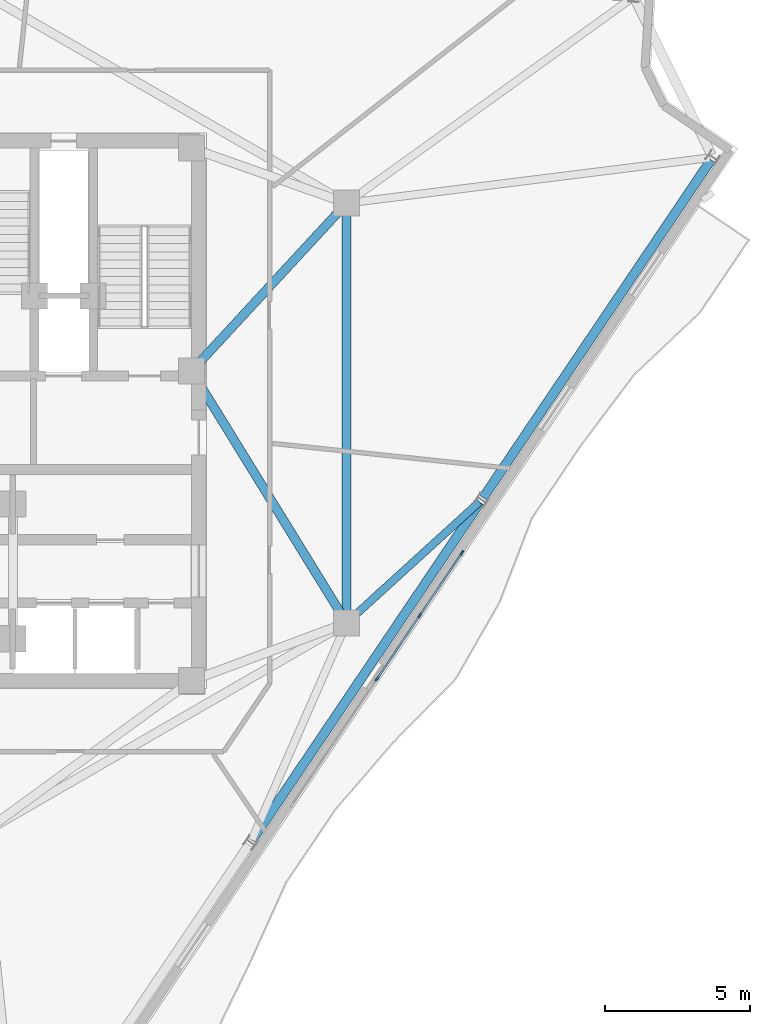
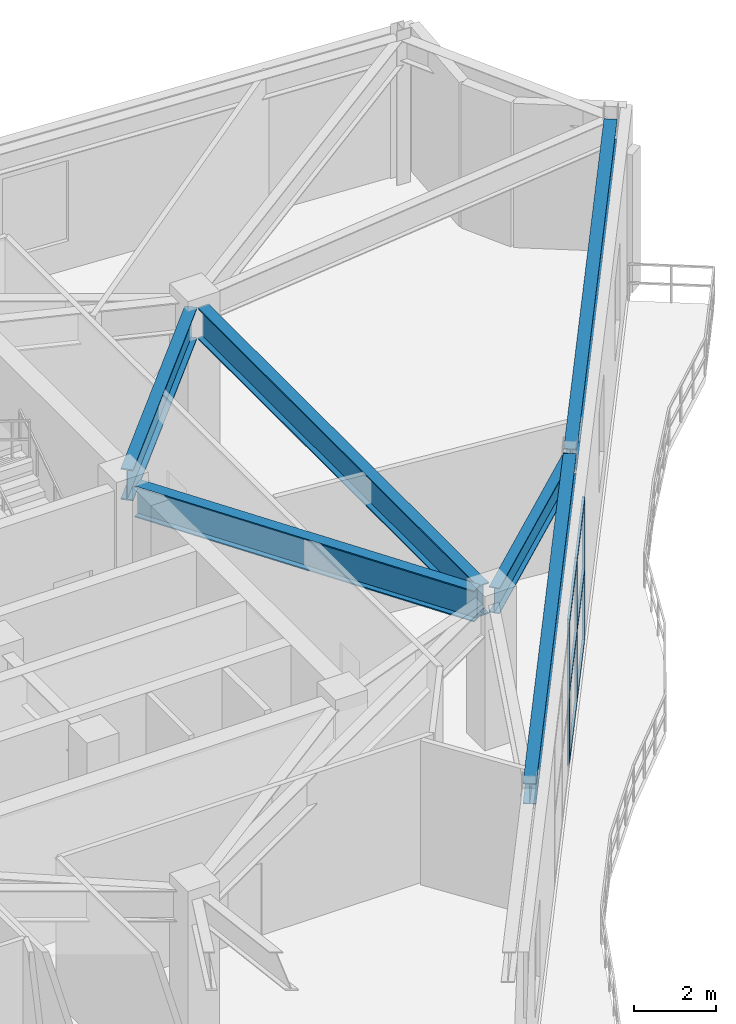
# One storey, part 6 of 15: 9 members, 6 beams, 1 element without a shape of its own.
"""IFC4 building model written with IfcOpenShell, lengths in metres."""

from ifc_helpers import new_model, si_unit, direction, frame, origin, origin_2d, place, context, subcontext, project, spatial, rectangle, i_section, extrude, material, layer, layer_set, material_profile, profile_set, type_object, element, aggregate, save


model = new_model("IFC4")

# Units and contexts
model_context = context("Model", 3, precision=1e-05, world=origin(), true_north=direction((0.0, 1.0)))
body_context = subcontext(model_context, "Body", "Model", "MODEL_VIEW")
ifc_project = project(units=[si_unit("LENGTHUNIT", "METRE"), si_unit("AREAUNIT", "SQUARE_METRE"), si_unit("VOLUMEUNIT", "CUBIC_METRE"), si_unit("PLANEANGLEUNIT", "RADIAN"), si_unit("MASSUNIT", "GRAM", prefix="KILO")], contexts=[model_context])

# Site, building, storey
site_placement = place(None, origin())
site = spatial("IfcSite", under=ifc_project, at=site_placement, CompositionType="ELEMENT")
building_placement = place(site_placement, origin())
building = spatial("IfcBuilding", under=site, at=building_placement, Name="Apsidion Concourse Tower", CompositionType="ELEMENT")
storey_placement = place(building_placement, frame((0.0, 0.0, 323.39990234375)))
storey = spatial("IfcBuildingStorey", under=building, at=storey_placement, Name="L76", CompositionType="ELEMENT", Elevation=323.39990234375)

# Beams
ifc_material_1 = material(Name="Structural steel ASTM A992 Grade 50", Category="steel")
ifc_material_profile_1 = material_profile(ifc_material_1, i_section(OverallWidth=0.31005859375, OverallDepth=0.931884765625, WebThickness=0.02099609375, FlangeThickness=0.034423828125, at=origin_2d()), Name="W36X210")
ifc_profile_set_1 = profile_set([ifc_material_profile_1], Name="Structural steel ASTM A992 Grade 50")
beam_type_1 = type_object("IfcBeamType", Name="BM-G-W36", PredefinedType="USERDEFINED", material=ifc_profile_set_1)
beam_1_placement = place(storey_placement, frame((12.35009765625, -6.909423828125, 3.833984375), z_axis=(-0.524524009763, 0.851395656074, 0.0), x_axis=(-0.851395656074, -0.524524009763, 0.0)))
element("IfcBeam", 1, at=beam_1_placement, inside=storey, type_object=beam_type_1, Name="L76 Core Coupling Girder IC2-SC3", ObjectType="GIRDER", PredefinedType="USERDEFINED", context=body_context, shape_type="SweptSolid", body=[
    extrude(i_section(OverallWidth=0.31005859375, OverallDepth=0.931884765625, WebThickness=0.02099609375, FlangeThickness=0.034423828125, at=origin_2d()), origin(), (0.0, 0.0, 1.0), 9.41845703125),
])
beam_2_placement = place(storey_placement, frame((12.28857421875, 6.956298828125, 3.833984375), z_axis=(-0.678712876106, -0.73440372535, 0.0), x_axis=(0.73440372535, -0.678712876106, 0.0)))
element("IfcBeam", 2, at=beam_2_placement, inside=storey, type_object=beam_type_1, Name="L76 Core Coupling Girder IC3-SC3", ObjectType="GIRDER", PredefinedType="USERDEFINED", context=body_context, shape_type="SweptSolid", body=[
    extrude(i_section(OverallWidth=0.31005859375, OverallDepth=0.931884765625, WebThickness=0.02099609375, FlangeThickness=0.034423828125, at=origin_2d()), origin(), (0.0, 0.0, 1.0), 7.097412109375),
])
beam_3_placement = place(storey_placement, frame((12.56005859375, 6.85009765625, 3.833984375), z_axis=(0.0, -1.0, 0.0), x_axis=(1.0, 0.0, 0.0)))
element("IfcBeam", 3, at=beam_3_placement, inside=storey, type_object=beam_type_1, Name="L76 Core Coupling Girder IC3-IC2", ObjectType="GIRDER", PredefinedType="USERDEFINED", context=body_context, shape_type="SweptSolid", body=[
    extrude(i_section(OverallWidth=0.31005859375, OverallDepth=0.931884765625, WebThickness=0.02099609375, FlangeThickness=0.034423828125, at=origin_2d()), origin(), (0.0, 0.0, 1.0), 13.7001953125),
])
ifc_material_profile_2 = material_profile(ifc_material_1, i_section(OverallWidth=0.324951171875, OverallDepth=0.616943359375, WebThickness=0.013916015625, FlangeThickness=0.021484375, at=origin_2d()), Name="W24X117")
ifc_profile_set_2 = profile_set([ifc_material_profile_2], Name="Structural steel ASTM A992 Grade 50")
beam_type_2 = type_object("IfcBeamType", Name="BM-SP-W24", PredefinedType="SPANDREL", material=ifc_profile_set_2)
beam_4_placement = place(storey_placement, frame((9.294921875, -14.760986328125, 3.99169921875), z_axis=(0.559189897853, 0.829039599862, 0.0), x_axis=(-0.829039599862, 0.559189897853, 0.0)))
element("IfcBeam", 4, at=beam_4_placement, inside=storey, type_object=beam_type_2, Name="L76 Perimeter Spandrel Girder SP-06", PredefinedType="SPANDREL", context=body_context, shape_type="SweptSolid", body=[
    extrude(i_section(OverallWidth=0.324951171875, OverallDepth=0.616943359375, WebThickness=0.013916015625, FlangeThickness=0.021484375, at=origin_2d()), origin(), (0.0, 0.0, 1.0), 14.079345703125),
])
beam_5_placement = place(storey_placement, frame((17.27978515625, -2.9228515625, 3.99169921875), z_axis=(0.559201815781, 0.829031561056, 0.0), x_axis=(-0.829031561056, 0.559201815781, 0.0)))
element("IfcBeam", 5, at=beam_5_placement, inside=storey, type_object=beam_type_2, Name="L76 Perimeter Spandrel Girder SP-07", PredefinedType="SPANDREL", context=body_context, shape_type="SweptSolid", body=[
    extrude(i_section(OverallWidth=0.324951171875, OverallDepth=0.616943359375, WebThickness=0.013916015625, FlangeThickness=0.021484375, at=origin_2d()), origin(), (0.0, 0.0, 1.0), 14.07958984375),
])
ifc_material_profile_3 = material_profile(ifc_material_1, i_section(OverallWidth=0.26806640625, OverallDepth=0.77001953125, WebThickness=0.015625, FlangeThickness=0.025390625, at=origin_2d()), Name="W30X132")
ifc_profile_set_3 = profile_set([ifc_material_profile_3], Name="Structural steel ASTM A992 Grade 50")
beam_type_3 = type_object("IfcBeamType", Name="BM-SP-W30", PredefinedType="SPANDREL", material=ifc_profile_set_3)
beam_6_placement = place(storey_placement, frame((12.72265625, -7.101806640625, 3.9150390625), z_axis=(0.739604100637, 0.673042178709, 0.0), x_axis=(-0.673042178709, 0.739604100637, 0.0)))
element("IfcBeam", 6, at=beam_6_placement, inside=storey, type_object=beam_type_3, Name="L76 Radial Floor Girder RAD-07", PredefinedType="SPANDREL", context=body_context, shape_type="SweptSolid", body=[
    extrude(i_section(OverallWidth=0.26806640625, OverallDepth=0.77001953125, WebThickness=0.015625, FlangeThickness=0.025390625, at=origin_2d()), origin(), (0.0, 0.0, 1.0), 5.986083984375),
])

# Curtain wall, members
ifc_material_2 = material(Name="Insulated laminated low-E glass", Category="glass")
ifc_layer = layer(ifc_material_2, 0.22998046875)
ifc_layer_set = layer_set([ifc_layer], Name="Insulated laminated low-E glass")
curtain_wall_type = type_object("IfcCurtainWallType", Name="CW-SYS-05", PredefinedType="NOTDEFINED", material=ifc_layer_set)
curtain_wall_placement = place(storey_placement, origin())
curtain_wall = element("IfcCurtainWall", 7, at=curtain_wall_placement, inside=storey, type_object=curtain_wall_type, Name="L76 Sky Observatory Curtain Wall 5", PredefinedType="NOTDEFINED")
ifc_material_3 = material(Name="Anodised aluminium EN AW-6063 T6", Category="aluminium")
ifc_material_profile_4 = material_profile(ifc_material_3, rectangle(XDim=0.06494140625, YDim=0.179931640625, at=origin_2d()), Name="ALU MULLION 65x180")
ifc_profile_set_4 = profile_set([ifc_material_profile_4], Name="Anodised aluminium EN AW-6063 T6")
member_type_1 = type_object("IfcMemberType", Name="CWM-65X180", PredefinedType="MULLION", material=ifc_profile_set_4)
member_1_placement = place(storey_placement, frame((16.54150390625, -4.840087890625, 0.0), z_axis=(0.0, 0.0, 1.0), x_axis=(0.829036939888, -0.559193841437, 0.0)))
member_1 = element("IfcMember", 8, at=member_1_placement, type_object=member_type_1, Name="CW-05 mullion 1", PredefinedType="MULLION", context=body_context, shape_type="SweptSolid", body=[
    extrude(rectangle(XDim=0.06494140625, YDim=0.179931640625, at=origin_2d()), origin(), (0.0, 0.0, 1.0), 4.25),
])
member_2_placement = place(storey_placement, frame((15.086181640625, -6.99755859375, 0.0), z_axis=(0.0, 0.0, 1.0), x_axis=(0.829036939888, -0.559193841437, 0.0)))
member_2 = element("IfcMember", 9, at=member_2_placement, type_object=member_type_1, Name="CW-05 mullion 2", PredefinedType="MULLION", context=body_context, shape_type="SweptSolid", body=[
    extrude(rectangle(XDim=0.06494140625, YDim=0.179931640625, at=origin_2d()), origin(), (0.0, 0.0, 1.0), 4.25),
])
member_3_placement = place(storey_placement, frame((13.61279296875, -9.181884765625, 0.0), z_axis=(0.0, 0.0, 1.0), x_axis=(0.829036939888, -0.559193841437, 0.0)))
member_3 = element("IfcMember", 10, at=member_3_placement, type_object=member_type_1, Name="CW-05 mullion 3", PredefinedType="MULLION", context=body_context, shape_type="SweptSolid", body=[
    extrude(rectangle(XDim=0.06494140625, YDim=0.179931640625, at=origin_2d()), origin(), (0.0, 0.0, 1.0), 4.25),
])
ifc_material_profile_5 = material_profile(ifc_material_3, rectangle(XDim=0.06494140625, YDim=0.139892578125, at=origin_2d()), Name="ALU TRANSOM 65x140")
ifc_profile_set_5 = profile_set([ifc_material_profile_5], Name="Anodised aluminium EN AW-6063 T6")
member_type_2 = type_object("IfcMemberType", Name="CWT-65X140", PredefinedType="USERDEFINED", material=ifc_profile_set_5)
member_4_placement = place(storey_placement, frame((16.523193359375, -4.8671875, 0.03271484375), z_axis=(-0.559155511525, -0.829062792514, 0.0), x_axis=(0.829062792514, -0.559155511525, 0.0)))
member_4 = element("IfcMember", 11, at=member_4_placement, type_object=member_type_2, Name="CW-05 transom 1.1", ObjectType="TRANSOM", PredefinedType="USERDEFINED", context=body_context, shape_type="SweptSolid", body=[
    extrude(rectangle(XDim=0.06494140625, YDim=0.139892578125, at=origin_2d()), origin(), (0.0, 0.0, 1.0), 2.537109375),
])
member_5_placement = place(storey_placement, frame((16.523193359375, -4.8671875, 2.125), z_axis=(-0.559155511525, -0.829062792514, 0.0), x_axis=(0.829062792514, -0.559155511525, 0.0)))
member_5 = element("IfcMember", 12, at=member_5_placement, type_object=member_type_2, Name="CW-05 transom 1.2", ObjectType="TRANSOM", PredefinedType="USERDEFINED", context=body_context, shape_type="SweptSolid", body=[
    extrude(rectangle(XDim=0.06494140625, YDim=0.139892578125, at=origin_2d()), origin(), (0.0, 0.0, 1.0), 2.537109375),
])
member_6_placement = place(storey_placement, frame((16.523193359375, -4.8671875, 4.217529296875), z_axis=(-0.559155511525, -0.829062792514, 0.0), x_axis=(0.829062792514, -0.559155511525, 0.0)))
member_6 = element("IfcMember", 13, at=member_6_placement, type_object=member_type_2, Name="CW-05 transom 1.3", ObjectType="TRANSOM", PredefinedType="USERDEFINED", context=body_context, shape_type="SweptSolid", body=[
    extrude(rectangle(XDim=0.06494140625, YDim=0.139892578125, at=origin_2d()), origin(), (0.0, 0.0, 1.0), 2.537109375),
])
member_7_placement = place(storey_placement, frame((15.068115234375, -7.024658203125, 0.03271484375), z_axis=(-0.559273780353, -0.828983014669, 0.0), x_axis=(0.828983014669, -0.559273780353, 0.0)))
member_7 = element("IfcMember", 14, at=member_7_placement, type_object=member_type_2, Name="CW-05 transom 2.1", ObjectType="TRANSOM", PredefinedType="USERDEFINED", context=body_context, shape_type="SweptSolid", body=[
    extrude(rectangle(XDim=0.06494140625, YDim=0.139892578125, at=origin_2d()), origin(), (0.0, 0.0, 1.0), 2.56982421875),
])
member_8_placement = place(storey_placement, frame((15.068115234375, -7.024658203125, 2.125), z_axis=(-0.559273780353, -0.828983014669, 0.0), x_axis=(0.828983014669, -0.559273780353, 0.0)))
member_8 = element("IfcMember", 15, at=member_8_placement, type_object=member_type_2, Name="CW-05 transom 2.2", ObjectType="TRANSOM", PredefinedType="USERDEFINED", context=body_context, shape_type="SweptSolid", body=[
    extrude(rectangle(XDim=0.06494140625, YDim=0.139892578125, at=origin_2d()), origin(), (0.0, 0.0, 1.0), 2.56982421875),
])
member_9_placement = place(storey_placement, frame((15.068115234375, -7.024658203125, 4.217529296875), z_axis=(-0.559273780353, -0.828983014669, 0.0), x_axis=(0.828983014669, -0.559273780353, 0.0)))
member_9 = element("IfcMember", 16, at=member_9_placement, type_object=member_type_2, Name="CW-05 transom 2.3", ObjectType="TRANSOM", PredefinedType="USERDEFINED", context=body_context, shape_type="SweptSolid", body=[
    extrude(rectangle(XDim=0.06494140625, YDim=0.139892578125, at=origin_2d()), origin(), (0.0, 0.0, 1.0), 2.56982421875),
])
aggregate(curtain_wall, [member_1, member_2, member_3, member_4, member_5, member_6, member_7, member_8, member_9])

save(model, "model.ifc")
